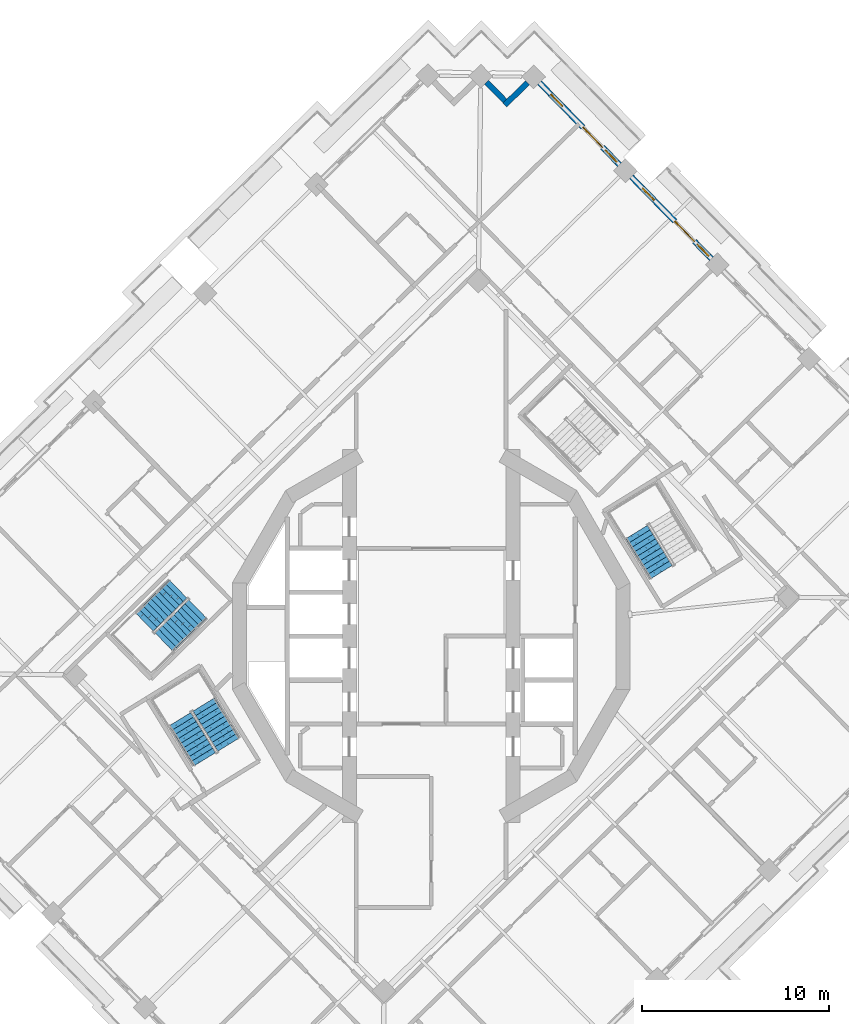
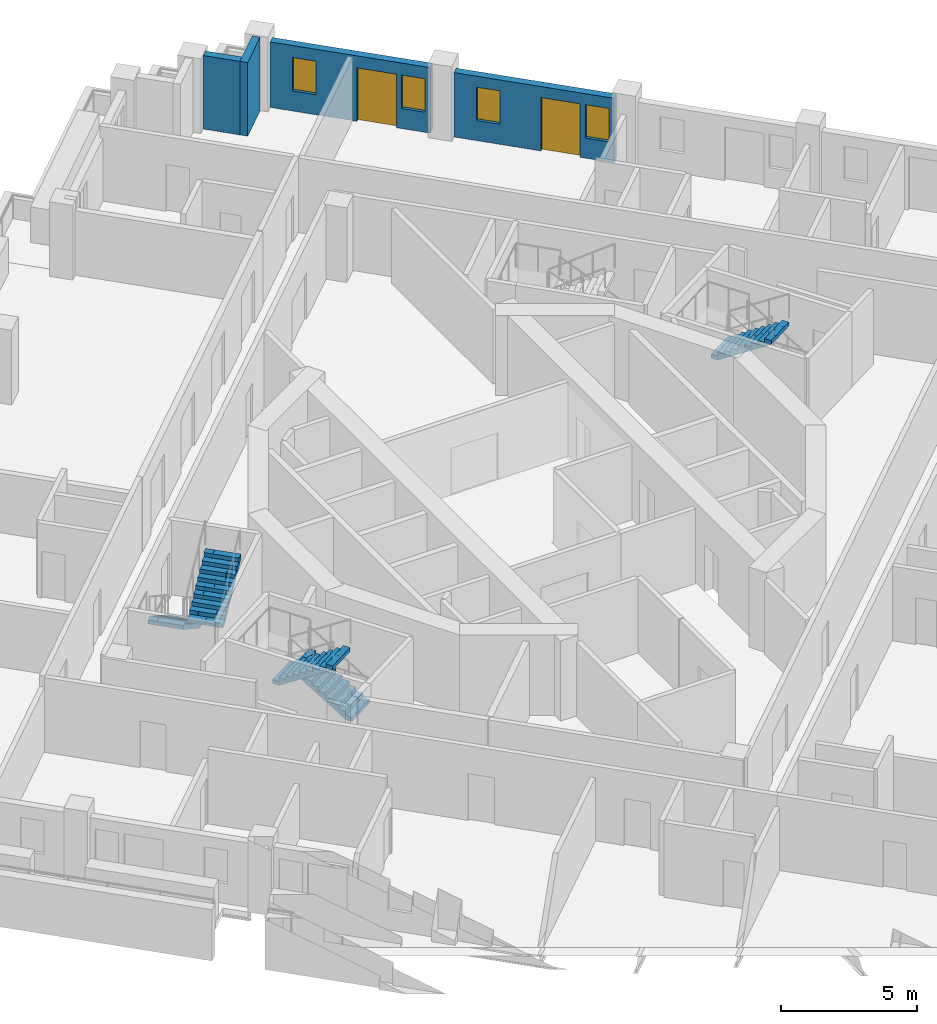
# One storey, part 11 of 19: 5 stair flights, 4 walls, 4 windows, 2 doors, 6 openings, 3 elements without a shape of their own.
"""IFC4 building model written with IfcOpenShell, lengths in metres."""

from ifc_helpers import new_model, si_unit, direction, frame, frame_2d, origin, place, context, subcontext, project, spatial, polyline, rectangle, outline, extrude, material, layer, layer_set, type_object, element, fill, aggregate, save


model = new_model("IFC4")

# Units and contexts
model_context = context("Model", 3, precision=1e-05, world=origin(), true_north=direction((0.0, 1.0)))
body_context = subcontext(model_context, "Body", "Model", "MODEL_VIEW")
ifc_project = project(units=[si_unit("LENGTHUNIT", "METRE"), si_unit("AREAUNIT", "SQUARE_METRE"), si_unit("VOLUMEUNIT", "CUBIC_METRE"), si_unit("PLANEANGLEUNIT", "RADIAN"), si_unit("MASSUNIT", "GRAM", prefix="KILO")], contexts=[model_context])

# Site, building, storey
site_placement = place(None, origin())
site = spatial("IfcSite", under=ifc_project, at=site_placement, CompositionType="ELEMENT")
building_placement = place(site_placement, origin())
building = spatial("IfcBuilding", under=site, at=building_placement, Name="Cantera Rosa Tower", CompositionType="ELEMENT")
storey_placement = place(building_placement, frame((0.0, 0.0, 216.199951171875)))
storey = spatial("IfcBuildingStorey", under=building, at=storey_placement, Name="L46", CompositionType="ELEMENT", Elevation=216.199951171875)

# Walls
ifc_material_1 = material(Name="Hollow clay masonry with cantera stone cladding", Category="masonry")
ifc_layer_1 = layer(ifc_material_1, 0.300048828125)
ifc_layer_set_1 = layer_set([ifc_layer_1], Name="EW-LOGGIA 300")
wall_type_1 = type_object("IfcWallType", Name="EW-LOGGIA 300", PredefinedType="SOLIDWALL", material=ifc_layer_set_1)
wall_1_placement = place(storey_placement, frame((5.15283203125, 29.56982421875, 0.0), z_axis=(0.0, 0.0, 1.0), x_axis=(-0.715316077832, -0.69880105094, 0.0)))
element("IfcWall", 1, at=wall_1_placement, inside=storey, type_object=wall_type_1, Name="EN-L46-W05a", PredefinedType="SOLIDWALL", context=body_context, shape_type="SweptSolid", body=[
    extrude(rectangle(XDim=1.699951171875, YDim=0.300048828125, at=frame_2d((0.85009765625, 0.0))), origin(), (0.0, 0.0, 1.0), 3.300048828125),
])
wall_2_placement = place(storey_placement, frame((3.939208984375, 28.593994140625, 0.0), z_axis=(0.0, 0.0, 1.0), x_axis=(-0.698861982187, 0.715256548278, 0.0)))
element("IfcWall", 2, at=wall_2_placement, inside=storey, type_object=wall_type_1, Name="EN-L46-W05b", PredefinedType="SOLIDWALL", context=body_context, shape_type="SweptSolid", body=[
    extrude(rectangle(XDim=1.39990234375, YDim=0.300048828125, at=frame_2d((0.699951171875, 0.0))), origin(), (0.0, 0.0, 1.0), 3.300048828125),
])

# Wall, openings, windows, door
ifc_material_2 = material(Name="Hollow clay masonry with cantera stone cladding", Category="masonry")
ifc_layer_2 = layer(ifc_material_2, 0.300048828125)
ifc_layer_set_2 = layer_set([ifc_layer_2], Name="EW-LOGGIA 300 H2890")
wall_type_2 = type_object("IfcWallType", Name="EW-LOGGIA 300 H2890", PredefinedType="SOLIDWALL", material=ifc_layer_set_2)
wall_3_placement = place(storey_placement, frame((14.9716796875, 20.16357421875, 0.0), z_axis=(0.0, 0.0, 1.0), x_axis=(-0.698841120217, 0.71527693147, 0.0)))
wall_3 = element("IfcWall", 3, at=wall_3_placement, inside=storey, type_object=wall_type_2, Name="EN-L46-W03", PredefinedType="SOLIDWALL", context=body_context, shape_type="SweptSolid", body=[
    extrude(rectangle(XDim=6.119873046875, YDim=0.300048828125, at=frame_2d((3.06005859375, 0.0))), origin(), (0.0, 0.0, 1.0), 2.89013671875),
])
opening_1_placement = place(wall_3_placement, frame((0.199951171875, 0.0, 0.89990234375)))
opening_1 = element("IfcOpeningElement", 4, at=opening_1_placement, cuts=wall_3, Name="Opening L46-W07", PredefinedType="OPENING", context=body_context, shape_type="SweptSolid", body=[
    extrude(rectangle(XDim=0.89990234375, YDim=1.5, at=frame_2d((0.449951171875, 0.75))), frame((0.0, 0.159912109375, 0.0), z_axis=(0.0, -1.0, 0.0), x_axis=(1.0, 0.0, 0.0)), (0.0, 0.0, 1.0), 0.320068359375),
])
opening_2_placement = place(wall_3_placement, frame((1.300048828125, 0.0, 0.0)))
opening_2 = element("IfcOpeningElement", 5, at=opening_2_placement, cuts=wall_3, Name="Opening L46-TD08", PredefinedType="OPENING", context=body_context, shape_type="SweptSolid", body=[
    extrude(rectangle(XDim=1.5, YDim=2.39990234375, at=frame_2d((0.75, 1.199951171875))), frame((0.0, 0.159912109375, 0.0), z_axis=(0.0, -1.0, 0.0), x_axis=(1.0, 0.0, 0.0)), (0.0, 0.0, 1.0), 0.320068359375),
])
opening_3_placement = place(wall_3_placement, frame((4.364990234375, 0.0, 0.89990234375)))
opening_3 = element("IfcOpeningElement", 6, at=opening_3_placement, cuts=wall_3, Name="Opening L46-W09", PredefinedType="OPENING", context=body_context, shape_type="SweptSolid", body=[
    extrude(rectangle(XDim=0.89990234375, YDim=1.5, at=frame_2d((0.449951171875, 0.75))), frame((0.0, 0.159912109375, 0.0), z_axis=(0.0, -1.0, 0.0), x_axis=(1.0, 0.0, 0.0)), (0.0, 0.0, 1.0), 0.320068359375),
])
ifc_material_3 = material(Name="Aluminium frame with clear glass", Category="aluminium")
window_type = type_object("IfcWindowType", Name="Residential window 900x1500", PartitioningType="SINGLE_PANEL", PredefinedType="WINDOW", material=ifc_material_3)
window_1_placement = place(opening_1_placement, origin())
window_1 = element("IfcWindow", 7, at=window_1_placement, inside=storey, type_object=window_type, Name="WINDOW L46-W07", OverallHeight=1.5, OverallWidth=0.89990234375, PartitioningType="SINGLE_PANEL", PredefinedType="WINDOW", context=body_context, shape_type="SweptSolid", body=[
    extrude(rectangle(XDim=0.89990234375, YDim=1.5, at=frame_2d((0.449951171875, 0.75))), frame((0.0, 0.030029296875, 0.0), z_axis=(0.0, -1.0, 0.0), x_axis=(1.0, 0.0, 0.0)), (0.0, 0.0, 1.0), 0.06005859375),
])
fill(opening_1, window_1)
window_2_placement = place(opening_3_placement, origin())
window_2 = element("IfcWindow", 8, at=window_2_placement, inside=storey, type_object=window_type, Name="WINDOW L46-W09", OverallHeight=1.5, OverallWidth=0.89990234375, PartitioningType="SINGLE_PANEL", PredefinedType="WINDOW", context=body_context, shape_type="SweptSolid", body=[
    extrude(rectangle(XDim=0.89990234375, YDim=1.5, at=frame_2d((0.449951171875, 0.75))), frame((0.0, 0.030029296875, 0.0), z_axis=(0.0, -1.0, 0.0), x_axis=(1.0, 0.0, 0.0)), (0.0, 0.0, 1.0), 0.06005859375),
])
fill(opening_3, window_2)
ifc_material_4 = material(Name="Aluminium frame with clear glass", Category="aluminium")
door_type = type_object("IfcDoorType", Name="TD-R 1500x2400", OperationType="NOTDEFINED", PredefinedType="DOOR", material=ifc_material_4)
door_1_placement = place(opening_2_placement, origin())
door_1 = element("IfcDoor", 9, at=door_1_placement, inside=storey, type_object=door_type, Name="LOGGIA DOOR L46-TD08", OperationType="SLIDING_TO_LEFT", OverallHeight=2.39990234375, OverallWidth=1.5, PredefinedType="DOOR", context=body_context, shape_type="SweptSolid", body=[
    extrude(rectangle(XDim=1.5, YDim=2.39990234375, at=frame_2d((0.75, 1.199951171875))), frame((0.0, 0.02490234375, 0.0), z_axis=(0.0, -1.0, 0.0), x_axis=(1.0, 0.0, 0.0)), (0.0, 0.0, 1.0), 0.050048828125),
])
fill(opening_2, door_1)

ifc_material_5 = material(Name="Hollow clay masonry with cantera stone cladding", Category="masonry")
ifc_layer_3 = layer(ifc_material_5, 0.300048828125)
ifc_layer_set_3 = layer_set([ifc_layer_3], Name="EW-LOGGIA 300 H2940")
wall_type_3 = type_object("IfcWallType", Name="EW-LOGGIA 300 H2940", PredefinedType="SOLIDWALL", material=ifc_layer_set_3)
wall_4_placement = place(storey_placement, frame((10.06591796875, 25.184814453125, 0.0), z_axis=(0.0, 0.0, 1.0), x_axis=(-0.69882117953, 0.715296413412, 0.0)))
wall_4 = element("IfcWall", 10, at=wall_4_placement, inside=storey, type_object=wall_type_3, Name="EN-L46-W04", PredefinedType="SOLIDWALL", context=body_context, shape_type="SweptSolid", body=[
    extrude(rectangle(XDim=6.1201171875, YDim=0.300048828125, at=frame_2d((3.06005859375, 0.0))), origin(), (0.0, 0.0, 1.0), 2.93994140625),
])
opening_4_placement = place(wall_4_placement, frame((0.199951171875, 0.0, 0.89990234375)))
opening_4 = element("IfcOpeningElement", 11, at=opening_4_placement, cuts=wall_4, Name="Opening L46-W10", PredefinedType="OPENING", context=body_context, shape_type="SweptSolid", body=[
    extrude(rectangle(XDim=0.89990234375, YDim=1.5, at=frame_2d((0.449951171875, 0.75))), frame((0.0, 0.159912109375, 0.0), z_axis=(0.0, -1.0, 0.0), x_axis=(1.0, 0.0, 0.0)), (0.0, 0.0, 1.0), 0.320068359375),
])
opening_5_placement = place(wall_4_placement, frame((1.300048828125, 0.0, 0.0)))
opening_5 = element("IfcOpeningElement", 12, at=opening_5_placement, cuts=wall_4, Name="Opening L46-TD11", PredefinedType="OPENING", context=body_context, shape_type="SweptSolid", body=[
    extrude(rectangle(XDim=1.5, YDim=2.39990234375, at=frame_2d((0.75, 1.199951171875))), frame((0.0, 0.159912109375, 0.0), z_axis=(0.0, -1.0, 0.0), x_axis=(1.0, 0.0, 0.0)), (0.0, 0.0, 1.0), 0.320068359375),
])
opening_6_placement = place(wall_4_placement, frame((4.364990234375, 0.0, 0.89990234375)))
opening_6 = element("IfcOpeningElement", 13, at=opening_6_placement, cuts=wall_4, Name="Opening L46-W12", PredefinedType="OPENING", context=body_context, shape_type="SweptSolid", body=[
    extrude(rectangle(XDim=0.89990234375, YDim=1.5, at=frame_2d((0.449951171875, 0.75))), frame((0.0, 0.159912109375, 0.0), z_axis=(0.0, -1.0, 0.0), x_axis=(1.0, 0.0, 0.0)), (0.0, 0.0, 1.0), 0.320068359375),
])
window_3_placement = place(opening_4_placement, origin())
window_3 = element("IfcWindow", 14, at=window_3_placement, inside=storey, type_object=window_type, Name="WINDOW L46-W10", OverallHeight=1.5, OverallWidth=0.89990234375, PartitioningType="SINGLE_PANEL", PredefinedType="WINDOW", context=body_context, shape_type="SweptSolid", body=[
    extrude(rectangle(XDim=0.89990234375, YDim=1.5, at=frame_2d((0.449951171875, 0.75))), frame((0.0, 0.030029296875, 0.0), z_axis=(0.0, -1.0, 0.0), x_axis=(1.0, 0.0, 0.0)), (0.0, 0.0, 1.0), 0.06005859375),
])
fill(opening_4, window_3)
window_4_placement = place(opening_6_placement, origin())
window_4 = element("IfcWindow", 15, at=window_4_placement, inside=storey, type_object=window_type, Name="WINDOW L46-W12", OverallHeight=1.5, OverallWidth=0.89990234375, PartitioningType="SINGLE_PANEL", PredefinedType="WINDOW", context=body_context, shape_type="SweptSolid", body=[
    extrude(rectangle(XDim=0.89990234375, YDim=1.5, at=frame_2d((0.449951171875, 0.75))), frame((0.0, 0.030029296875, 0.0), z_axis=(0.0, -1.0, 0.0), x_axis=(1.0, 0.0, 0.0)), (0.0, 0.0, 1.0), 0.06005859375),
])
fill(opening_6, window_4)
door_2_placement = place(opening_5_placement, origin())
door_2 = element("IfcDoor", 16, at=door_2_placement, inside=storey, type_object=door_type, Name="LOGGIA DOOR L46-TD11", OperationType="SLIDING_TO_LEFT", OverallHeight=2.39990234375, OverallWidth=1.5, PredefinedType="DOOR", context=body_context, shape_type="SweptSolid", body=[
    extrude(rectangle(XDim=1.5, YDim=2.39990234375, at=frame_2d((0.75, 1.199951171875))), frame((0.0, 0.02490234375, 0.0), z_axis=(0.0, -1.0, 0.0), x_axis=(1.0, 0.0, 0.0)), (0.0, 0.0, 1.0), 0.050048828125),
])
fill(opening_5, door_2)

# Stair, stair flight
ifc_material_6 = material(Name="Concrete C35/45", Category="concrete")
stair_type = type_object("IfcStairType", Name="EXIT STAIR 1350 DOGLEG", PredefinedType="HALF_TURN_STAIR", material=ifc_material_6)
stair_1_placement = place(storey_placement, origin())
stair_1 = element("IfcStair", 17, at=stair_1_placement, inside=storey, type_object=stair_type, Name="L46 ST-41", PredefinedType="HALF_TURN_STAIR")
ifc_material_7 = material(Name="Concrete C35/45", Category="concrete")
stair_flight_type = type_object("IfcStairFlightType", Name="STAIR FLIGHT 1350 R20x180", PredefinedType="STRAIGHT", material=ifc_material_7)
stair_flight_1_placement = place(storey_placement, frame((10.9736328125, 5.5595703125, 1.800048828125), z_axis=(0.0, 0.0, 1.0), x_axis=(0.524976585286, -0.851116669383, 0.0)))
stair_flight_1 = element("IfcStairFlight", 18, at=stair_flight_1_placement, type_object=stair_flight_type, Name="ST-41 flight 2", NumberOfRisers=10, NumberOfTreads=9, PredefinedType="STRAIGHT", RiserHeight=0.18, TreadLength=0.28, context=body_context, shape_type="SweptSolid", body=[
    extrude(outline(polyline([(0.0, 0.0), (0.0, 0.179931640625), (0.280029296875, 0.179931640625), (0.280029296875, 0.360107421875), (0.56005859375, 0.360107421875), (0.56005859375, 0.5400390625), (0.840087890625, 0.5400390625), (0.840087890625, 0.719970703125), (1.1201171875, 0.719970703125), (1.1201171875, 0.89990234375), (1.39990234375, 0.89990234375), (1.39990234375, 1.080078125), (1.679931640625, 1.080078125), (1.679931640625, 1.260009765625), (1.9599609375, 1.260009765625), (1.9599609375, 1.43994140625), (2.239990234375, 1.43994140625), (2.239990234375, 1.6201171875), (2.52001953125, 1.6201171875), (2.52001953125, 1.800048828125), (2.52001953125, 1.44189453125), (0.277099609375, 0.0), (0.0, 0.0)])), frame((0.0, 0.675048828125, 0.0), z_axis=(0.0, -1.0, 0.0), x_axis=(1.0, 0.0, 0.0)), (0.0, 0.0, 1.0), 0.3359375),
    extrude(outline(polyline([(0.0, 0.0), (0.0, 0.179931640625), (0.280029296875, 0.179931640625), (0.280029296875, 0.360107421875), (0.56005859375, 0.360107421875), (0.56005859375, 0.5400390625), (0.840087890625, 0.5400390625), (0.840087890625, 0.719970703125), (1.1201171875, 0.719970703125), (1.1201171875, 0.89990234375), (1.39990234375, 0.89990234375), (1.39990234375, 1.080078125), (1.679931640625, 1.080078125), (1.679931640625, 1.260009765625), (1.9599609375, 1.260009765625), (1.9599609375, 1.43994140625), (2.239990234375, 1.43994140625), (2.239990234375, 1.6201171875), (2.52001953125, 1.6201171875), (2.52001953125, 1.800048828125), (2.52001953125, 1.44189453125), (0.277099609375, 0.0), (0.0, 0.0)])), frame((0.0, 0.337158203125, 0.0), z_axis=(0.0, -1.0, 0.0), x_axis=(1.0, 0.0, 0.0)), (0.0, 0.0, 1.0), 0.3359375),
    extrude(outline(polyline([(0.0, 0.0), (0.0, 0.179931640625), (0.280029296875, 0.179931640625), (0.280029296875, 0.360107421875), (0.56005859375, 0.360107421875), (0.56005859375, 0.5400390625), (0.840087890625, 0.5400390625), (0.840087890625, 0.719970703125), (1.1201171875, 0.719970703125), (1.1201171875, 0.89990234375), (1.39990234375, 0.89990234375), (1.39990234375, 1.080078125), (1.679931640625, 1.080078125), (1.679931640625, 1.260009765625), (1.9599609375, 1.260009765625), (1.9599609375, 1.43994140625), (2.239990234375, 1.43994140625), (2.239990234375, 1.6201171875), (2.52001953125, 1.6201171875), (2.52001953125, 1.800048828125), (2.52001953125, 1.44189453125), (0.277099609375, 0.0), (0.0, 0.0)])), frame((0.0, -0.000732421875, 0.0), z_axis=(0.0, -1.0, 0.0), x_axis=(1.0, 0.0, 0.0)), (0.0, 0.0, 1.0), 0.3359375),
    extrude(outline(polyline([(0.0, 0.0), (0.0, 0.179931640625), (0.280029296875, 0.179931640625), (0.280029296875, 0.360107421875), (0.56005859375, 0.360107421875), (0.56005859375, 0.5400390625), (0.840087890625, 0.5400390625), (0.840087890625, 0.719970703125), (1.1201171875, 0.719970703125), (1.1201171875, 0.89990234375), (1.39990234375, 0.89990234375), (1.39990234375, 1.080078125), (1.679931640625, 1.080078125), (1.679931640625, 1.260009765625), (1.9599609375, 1.260009765625), (1.9599609375, 1.43994140625), (2.239990234375, 1.43994140625), (2.239990234375, 1.6201171875), (2.52001953125, 1.6201171875), (2.52001953125, 1.800048828125), (2.52001953125, 1.44189453125), (0.277099609375, 0.0), (0.0, 0.0)])), frame((0.0, -0.338623046875, 0.0), z_axis=(0.0, -1.0, 0.0), x_axis=(1.0, 0.0, 0.0)), (0.0, 0.0, 1.0), 0.3359375),
])
aggregate(stair_1, [stair_flight_1])

# Stair, stair flights
stair_2_placement = place(storey_placement, origin())
stair_2 = element("IfcStair", 19, at=stair_2_placement, inside=storey, type_object=stair_type, Name="L46 ST-43", PredefinedType="HALF_TURN_STAIR")
stair_flight_2_placement = place(storey_placement, frame((-13.522705078125, 2.514892578125, 0.0), z_axis=(0.0, 0.0, 1.0), x_axis=(-0.715286295132, -0.698831536207, 0.0)))
stair_flight_2 = element("IfcStairFlight", 20, at=stair_flight_2_placement, type_object=stair_flight_type, Name="ST-43 flight 1", NumberOfRisers=10, NumberOfTreads=9, PredefinedType="STRAIGHT", RiserHeight=0.18, TreadLength=0.28, context=body_context, shape_type="SweptSolid", body=[
    extrude(outline(polyline([(0.0, 0.0), (0.0, 0.179931640625), (0.280029296875, 0.179931640625), (0.280029296875, 0.360107421875), (0.56005859375, 0.360107421875), (0.56005859375, 0.5400390625), (0.840087890625, 0.5400390625), (0.840087890625, 0.719970703125), (1.1201171875, 0.719970703125), (1.1201171875, 0.89990234375), (1.39990234375, 0.89990234375), (1.39990234375, 1.080078125), (1.679931640625, 1.080078125), (1.679931640625, 1.260009765625), (1.9599609375, 1.260009765625), (1.9599609375, 1.43994140625), (2.239990234375, 1.43994140625), (2.239990234375, 1.6201171875), (2.52001953125, 1.6201171875), (2.52001953125, 1.800048828125), (2.52001953125, 1.44189453125), (0.277099609375, 0.0), (0.0, 0.0)])), frame((0.0, 0.675048828125, 0.0), z_axis=(0.0, -1.0, 0.0), x_axis=(1.0, 0.0, 0.0)), (0.0, 0.0, 1.0), 0.3359375),
    extrude(outline(polyline([(0.0, 0.0), (0.0, 0.179931640625), (0.280029296875, 0.179931640625), (0.280029296875, 0.360107421875), (0.56005859375, 0.360107421875), (0.56005859375, 0.5400390625), (0.840087890625, 0.5400390625), (0.840087890625, 0.719970703125), (1.1201171875, 0.719970703125), (1.1201171875, 0.89990234375), (1.39990234375, 0.89990234375), (1.39990234375, 1.080078125), (1.679931640625, 1.080078125), (1.679931640625, 1.260009765625), (1.9599609375, 1.260009765625), (1.9599609375, 1.43994140625), (2.239990234375, 1.43994140625), (2.239990234375, 1.6201171875), (2.52001953125, 1.6201171875), (2.52001953125, 1.800048828125), (2.52001953125, 1.44189453125), (0.277099609375, 0.0), (0.0, 0.0)])), frame((0.0, 0.337158203125, 0.0), z_axis=(0.0, -1.0, 0.0), x_axis=(1.0, 0.0, 0.0)), (0.0, 0.0, 1.0), 0.3359375),
    extrude(outline(polyline([(0.0, 0.0), (0.0, 0.179931640625), (0.280029296875, 0.179931640625), (0.280029296875, 0.360107421875), (0.56005859375, 0.360107421875), (0.56005859375, 0.5400390625), (0.840087890625, 0.5400390625), (0.840087890625, 0.719970703125), (1.1201171875, 0.719970703125), (1.1201171875, 0.89990234375), (1.39990234375, 0.89990234375), (1.39990234375, 1.080078125), (1.679931640625, 1.080078125), (1.679931640625, 1.260009765625), (1.9599609375, 1.260009765625), (1.9599609375, 1.43994140625), (2.239990234375, 1.43994140625), (2.239990234375, 1.6201171875), (2.52001953125, 1.6201171875), (2.52001953125, 1.800048828125), (2.52001953125, 1.44189453125), (0.277099609375, 0.0), (0.0, 0.0)])), frame((0.0, -0.000732421875, 0.0), z_axis=(0.0, -1.0, 0.0), x_axis=(1.0, 0.0, 0.0)), (0.0, 0.0, 1.0), 0.3359375),
    extrude(outline(polyline([(0.0, 0.0), (0.0, 0.179931640625), (0.280029296875, 0.179931640625), (0.280029296875, 0.360107421875), (0.56005859375, 0.360107421875), (0.56005859375, 0.5400390625), (0.840087890625, 0.5400390625), (0.840087890625, 0.719970703125), (1.1201171875, 0.719970703125), (1.1201171875, 0.89990234375), (1.39990234375, 0.89990234375), (1.39990234375, 1.080078125), (1.679931640625, 1.080078125), (1.679931640625, 1.260009765625), (1.9599609375, 1.260009765625), (1.9599609375, 1.43994140625), (2.239990234375, 1.43994140625), (2.239990234375, 1.6201171875), (2.52001953125, 1.6201171875), (2.52001953125, 1.800048828125), (2.52001953125, 1.44189453125), (0.277099609375, 0.0), (0.0, 0.0)])), frame((0.0, -0.338623046875, 0.0), z_axis=(0.0, -1.0, 0.0), x_axis=(1.0, 0.0, 0.0)), (0.0, 0.0, 1.0), 0.3359375),
])
stair_flight_3_placement = place(storey_placement, frame((-14.277099609375, -0.319091796875, 1.800048828125), z_axis=(0.0, 0.0, 1.0), x_axis=(0.715286295132, 0.698831536207, 0.0)))
stair_flight_3 = element("IfcStairFlight", 21, at=stair_flight_3_placement, type_object=stair_flight_type, Name="ST-43 flight 2", NumberOfRisers=10, NumberOfTreads=9, PredefinedType="STRAIGHT", RiserHeight=0.18, TreadLength=0.28, context=body_context, shape_type="SweptSolid", body=[
    extrude(outline(polyline([(0.0, 0.0), (0.0, 0.179931640625), (0.280029296875, 0.179931640625), (0.280029296875, 0.360107421875), (0.56005859375, 0.360107421875), (0.56005859375, 0.5400390625), (0.840087890625, 0.5400390625), (0.840087890625, 0.719970703125), (1.1201171875, 0.719970703125), (1.1201171875, 0.89990234375), (1.39990234375, 0.89990234375), (1.39990234375, 1.080078125), (1.679931640625, 1.080078125), (1.679931640625, 1.260009765625), (1.9599609375, 1.260009765625), (1.9599609375, 1.43994140625), (2.239990234375, 1.43994140625), (2.239990234375, 1.6201171875), (2.52001953125, 1.6201171875), (2.52001953125, 1.800048828125), (2.52001953125, 1.44189453125), (0.277099609375, 0.0), (0.0, 0.0)])), frame((0.0, 0.675048828125, 0.0), z_axis=(0.0, -1.0, 0.0), x_axis=(1.0, 0.0, 0.0)), (0.0, 0.0, 1.0), 0.3359375),
    extrude(outline(polyline([(0.0, 0.0), (0.0, 0.179931640625), (0.280029296875, 0.179931640625), (0.280029296875, 0.360107421875), (0.56005859375, 0.360107421875), (0.56005859375, 0.5400390625), (0.840087890625, 0.5400390625), (0.840087890625, 0.719970703125), (1.1201171875, 0.719970703125), (1.1201171875, 0.89990234375), (1.39990234375, 0.89990234375), (1.39990234375, 1.080078125), (1.679931640625, 1.080078125), (1.679931640625, 1.260009765625), (1.9599609375, 1.260009765625), (1.9599609375, 1.43994140625), (2.239990234375, 1.43994140625), (2.239990234375, 1.6201171875), (2.52001953125, 1.6201171875), (2.52001953125, 1.800048828125), (2.52001953125, 1.44189453125), (0.277099609375, 0.0), (0.0, 0.0)])), frame((0.0, 0.337158203125, 0.0), z_axis=(0.0, -1.0, 0.0), x_axis=(1.0, 0.0, 0.0)), (0.0, 0.0, 1.0), 0.3359375),
    extrude(outline(polyline([(0.0, 0.0), (0.0, 0.179931640625), (0.280029296875, 0.179931640625), (0.280029296875, 0.360107421875), (0.56005859375, 0.360107421875), (0.56005859375, 0.5400390625), (0.840087890625, 0.5400390625), (0.840087890625, 0.719970703125), (1.1201171875, 0.719970703125), (1.1201171875, 0.89990234375), (1.39990234375, 0.89990234375), (1.39990234375, 1.080078125), (1.679931640625, 1.080078125), (1.679931640625, 1.260009765625), (1.9599609375, 1.260009765625), (1.9599609375, 1.43994140625), (2.239990234375, 1.43994140625), (2.239990234375, 1.6201171875), (2.52001953125, 1.6201171875), (2.52001953125, 1.800048828125), (2.52001953125, 1.44189453125), (0.277099609375, 0.0), (0.0, 0.0)])), frame((0.0, -0.000732421875, 0.0), z_axis=(0.0, -1.0, 0.0), x_axis=(1.0, 0.0, 0.0)), (0.0, 0.0, 1.0), 0.3359375),
    extrude(outline(polyline([(0.0, 0.0), (0.0, 0.179931640625), (0.280029296875, 0.179931640625), (0.280029296875, 0.360107421875), (0.56005859375, 0.360107421875), (0.56005859375, 0.5400390625), (0.840087890625, 0.5400390625), (0.840087890625, 0.719970703125), (1.1201171875, 0.719970703125), (1.1201171875, 0.89990234375), (1.39990234375, 0.89990234375), (1.39990234375, 1.080078125), (1.679931640625, 1.080078125), (1.679931640625, 1.260009765625), (1.9599609375, 1.260009765625), (1.9599609375, 1.43994140625), (2.239990234375, 1.43994140625), (2.239990234375, 1.6201171875), (2.52001953125, 1.6201171875), (2.52001953125, 1.800048828125), (2.52001953125, 1.44189453125), (0.277099609375, 0.0), (0.0, 0.0)])), frame((0.0, -0.338623046875, 0.0), z_axis=(0.0, -1.0, 0.0), x_axis=(1.0, 0.0, 0.0)), (0.0, 0.0, 1.0), 0.3359375),
])
aggregate(stair_2, [stair_flight_2, stair_flight_3])

stair_3_placement = place(storey_placement, origin())
stair_3 = element("IfcStair", 22, at=stair_3_placement, inside=storey, type_object=stair_type, Name="L46 ST-44", PredefinedType="HALF_TURN_STAIR")
stair_flight_4_placement = place(storey_placement, frame((-10.82666015625, -5.7978515625, 0.0), z_axis=(0.0, 0.0, 1.0), x_axis=(-0.524976585286, 0.851116669383, 0.0)))
stair_flight_4 = element("IfcStairFlight", 23, at=stair_flight_4_placement, type_object=stair_flight_type, Name="ST-44 flight 1", NumberOfRisers=10, NumberOfTreads=9, PredefinedType="STRAIGHT", RiserHeight=0.18, TreadLength=0.28, context=body_context, shape_type="SweptSolid", body=[
    extrude(outline(polyline([(0.0, 0.0), (0.0, 0.179931640625), (0.280029296875, 0.179931640625), (0.280029296875, 0.360107421875), (0.56005859375, 0.360107421875), (0.56005859375, 0.5400390625), (0.840087890625, 0.5400390625), (0.840087890625, 0.719970703125), (1.1201171875, 0.719970703125), (1.1201171875, 0.89990234375), (1.39990234375, 0.89990234375), (1.39990234375, 1.080078125), (1.679931640625, 1.080078125), (1.679931640625, 1.260009765625), (1.9599609375, 1.260009765625), (1.9599609375, 1.43994140625), (2.239990234375, 1.43994140625), (2.239990234375, 1.6201171875), (2.52001953125, 1.6201171875), (2.52001953125, 1.800048828125), (2.52001953125, 1.44189453125), (0.277099609375, 0.0), (0.0, 0.0)])), frame((0.0, 0.675048828125, 0.0), z_axis=(0.0, -1.0, 0.0), x_axis=(1.0, 0.0, 0.0)), (0.0, 0.0, 1.0), 0.3359375),
    extrude(outline(polyline([(0.0, 0.0), (0.0, 0.179931640625), (0.280029296875, 0.179931640625), (0.280029296875, 0.360107421875), (0.56005859375, 0.360107421875), (0.56005859375, 0.5400390625), (0.840087890625, 0.5400390625), (0.840087890625, 0.719970703125), (1.1201171875, 0.719970703125), (1.1201171875, 0.89990234375), (1.39990234375, 0.89990234375), (1.39990234375, 1.080078125), (1.679931640625, 1.080078125), (1.679931640625, 1.260009765625), (1.9599609375, 1.260009765625), (1.9599609375, 1.43994140625), (2.239990234375, 1.43994140625), (2.239990234375, 1.6201171875), (2.52001953125, 1.6201171875), (2.52001953125, 1.800048828125), (2.52001953125, 1.44189453125), (0.277099609375, 0.0), (0.0, 0.0)])), frame((0.0, 0.337158203125, 0.0), z_axis=(0.0, -1.0, 0.0), x_axis=(1.0, 0.0, 0.0)), (0.0, 0.0, 1.0), 0.3359375),
    extrude(outline(polyline([(0.0, 0.0), (0.0, 0.179931640625), (0.280029296875, 0.179931640625), (0.280029296875, 0.360107421875), (0.56005859375, 0.360107421875), (0.56005859375, 0.5400390625), (0.840087890625, 0.5400390625), (0.840087890625, 0.719970703125), (1.1201171875, 0.719970703125), (1.1201171875, 0.89990234375), (1.39990234375, 0.89990234375), (1.39990234375, 1.080078125), (1.679931640625, 1.080078125), (1.679931640625, 1.260009765625), (1.9599609375, 1.260009765625), (1.9599609375, 1.43994140625), (2.239990234375, 1.43994140625), (2.239990234375, 1.6201171875), (2.52001953125, 1.6201171875), (2.52001953125, 1.800048828125), (2.52001953125, 1.44189453125), (0.277099609375, 0.0), (0.0, 0.0)])), frame((0.0, -0.000732421875, 0.0), z_axis=(0.0, -1.0, 0.0), x_axis=(1.0, 0.0, 0.0)), (0.0, 0.0, 1.0), 0.3359375),
    extrude(outline(polyline([(0.0, 0.0), (0.0, 0.179931640625), (0.280029296875, 0.179931640625), (0.280029296875, 0.360107421875), (0.56005859375, 0.360107421875), (0.56005859375, 0.5400390625), (0.840087890625, 0.5400390625), (0.840087890625, 0.719970703125), (1.1201171875, 0.719970703125), (1.1201171875, 0.89990234375), (1.39990234375, 0.89990234375), (1.39990234375, 1.080078125), (1.679931640625, 1.080078125), (1.679931640625, 1.260009765625), (1.9599609375, 1.260009765625), (1.9599609375, 1.43994140625), (2.239990234375, 1.43994140625), (2.239990234375, 1.6201171875), (2.52001953125, 1.6201171875), (2.52001953125, 1.800048828125), (2.52001953125, 1.44189453125), (0.277099609375, 0.0), (0.0, 0.0)])), frame((0.0, -0.338623046875, 0.0), z_axis=(0.0, -1.0, 0.0), x_axis=(1.0, 0.0, 0.0)), (0.0, 0.0, 1.0), 0.3359375),
])
stair_flight_5_placement = place(storey_placement, frame((-13.42626953125, -4.4404296875, 1.800048828125), z_axis=(0.0, 0.0, 1.0), x_axis=(0.524976585286, -0.851116669383, 0.0)))
stair_flight_5 = element("IfcStairFlight", 24, at=stair_flight_5_placement, type_object=stair_flight_type, Name="ST-44 flight 2", NumberOfRisers=10, NumberOfTreads=9, PredefinedType="STRAIGHT", RiserHeight=0.18, TreadLength=0.28, context=body_context, shape_type="SweptSolid", body=[
    extrude(outline(polyline([(0.0, 0.0), (0.0, 0.179931640625), (0.280029296875, 0.179931640625), (0.280029296875, 0.360107421875), (0.56005859375, 0.360107421875), (0.56005859375, 0.5400390625), (0.840087890625, 0.5400390625), (0.840087890625, 0.719970703125), (1.1201171875, 0.719970703125), (1.1201171875, 0.89990234375), (1.39990234375, 0.89990234375), (1.39990234375, 1.080078125), (1.679931640625, 1.080078125), (1.679931640625, 1.260009765625), (1.9599609375, 1.260009765625), (1.9599609375, 1.43994140625), (2.239990234375, 1.43994140625), (2.239990234375, 1.6201171875), (2.52001953125, 1.6201171875), (2.52001953125, 1.800048828125), (2.52001953125, 1.44189453125), (0.277099609375, 0.0), (0.0, 0.0)])), frame((0.0, 0.675048828125, 0.0), z_axis=(0.0, -1.0, 0.0), x_axis=(1.0, 0.0, 0.0)), (0.0, 0.0, 1.0), 0.3359375),
    extrude(outline(polyline([(0.0, 0.0), (0.0, 0.179931640625), (0.280029296875, 0.179931640625), (0.280029296875, 0.360107421875), (0.56005859375, 0.360107421875), (0.56005859375, 0.5400390625), (0.840087890625, 0.5400390625), (0.840087890625, 0.719970703125), (1.1201171875, 0.719970703125), (1.1201171875, 0.89990234375), (1.39990234375, 0.89990234375), (1.39990234375, 1.080078125), (1.679931640625, 1.080078125), (1.679931640625, 1.260009765625), (1.9599609375, 1.260009765625), (1.9599609375, 1.43994140625), (2.239990234375, 1.43994140625), (2.239990234375, 1.6201171875), (2.52001953125, 1.6201171875), (2.52001953125, 1.800048828125), (2.52001953125, 1.44189453125), (0.277099609375, 0.0), (0.0, 0.0)])), frame((0.0, 0.337158203125, 0.0), z_axis=(0.0, -1.0, 0.0), x_axis=(1.0, 0.0, 0.0)), (0.0, 0.0, 1.0), 0.3359375),
    extrude(outline(polyline([(0.0, 0.0), (0.0, 0.179931640625), (0.280029296875, 0.179931640625), (0.280029296875, 0.360107421875), (0.56005859375, 0.360107421875), (0.56005859375, 0.5400390625), (0.840087890625, 0.5400390625), (0.840087890625, 0.719970703125), (1.1201171875, 0.719970703125), (1.1201171875, 0.89990234375), (1.39990234375, 0.89990234375), (1.39990234375, 1.080078125), (1.679931640625, 1.080078125), (1.679931640625, 1.260009765625), (1.9599609375, 1.260009765625), (1.9599609375, 1.43994140625), (2.239990234375, 1.43994140625), (2.239990234375, 1.6201171875), (2.52001953125, 1.6201171875), (2.52001953125, 1.800048828125), (2.52001953125, 1.44189453125), (0.277099609375, 0.0), (0.0, 0.0)])), frame((0.0, -0.000732421875, 0.0), z_axis=(0.0, -1.0, 0.0), x_axis=(1.0, 0.0, 0.0)), (0.0, 0.0, 1.0), 0.3359375),
    extrude(outline(polyline([(0.0, 0.0), (0.0, 0.179931640625), (0.280029296875, 0.179931640625), (0.280029296875, 0.360107421875), (0.56005859375, 0.360107421875), (0.56005859375, 0.5400390625), (0.840087890625, 0.5400390625), (0.840087890625, 0.719970703125), (1.1201171875, 0.719970703125), (1.1201171875, 0.89990234375), (1.39990234375, 0.89990234375), (1.39990234375, 1.080078125), (1.679931640625, 1.080078125), (1.679931640625, 1.260009765625), (1.9599609375, 1.260009765625), (1.9599609375, 1.43994140625), (2.239990234375, 1.43994140625), (2.239990234375, 1.6201171875), (2.52001953125, 1.6201171875), (2.52001953125, 1.800048828125), (2.52001953125, 1.44189453125), (0.277099609375, 0.0), (0.0, 0.0)])), frame((0.0, -0.338623046875, 0.0), z_axis=(0.0, -1.0, 0.0), x_axis=(1.0, 0.0, 0.0)), (0.0, 0.0, 1.0), 0.3359375),
])
aggregate(stair_3, [stair_flight_4, stair_flight_5])

save(model, "model.ifc")
